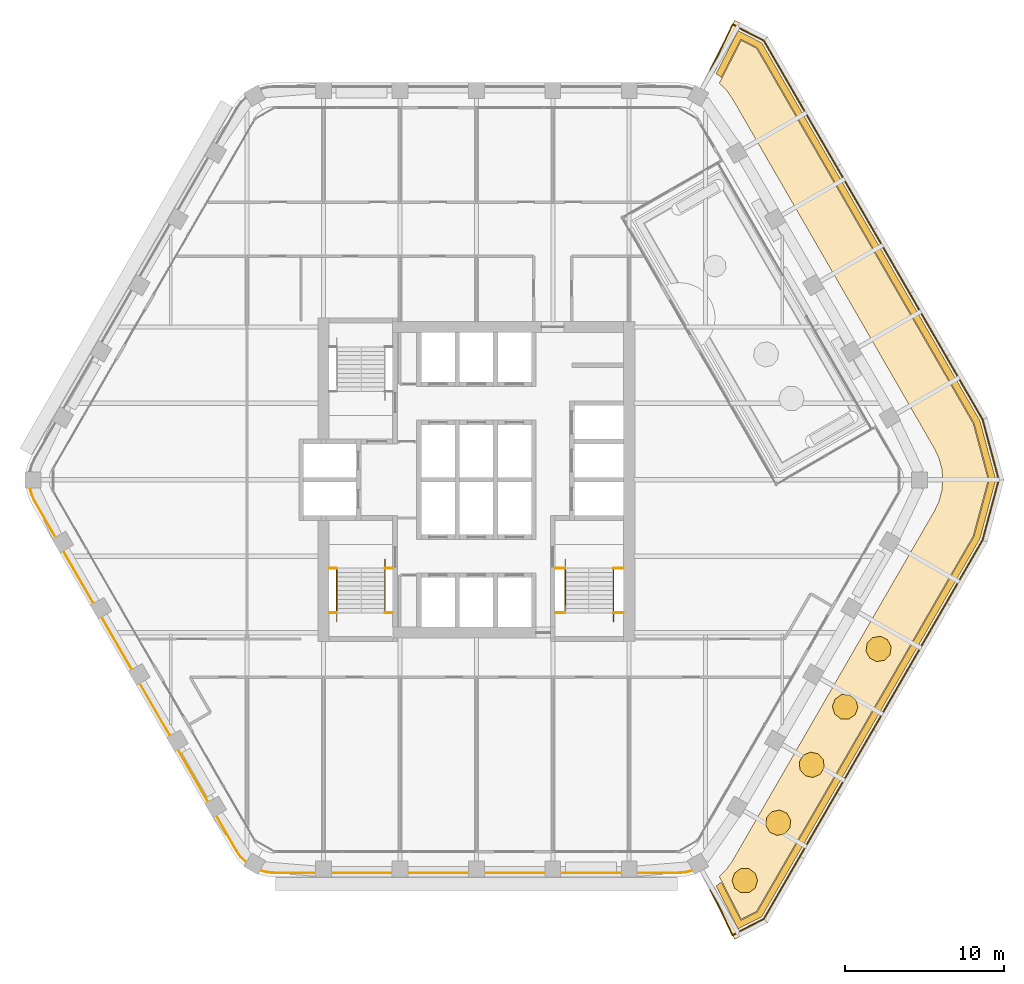
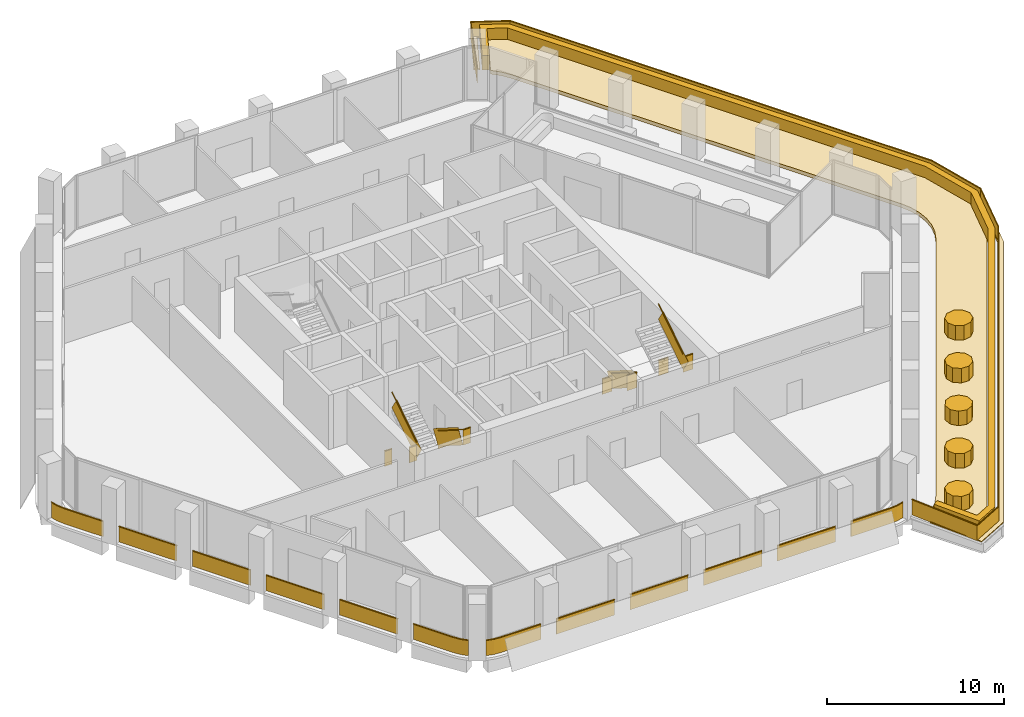
# One storey, part 16 of 17: 8 coverings, 7 railings.
"""IFC4 building model written with IfcOpenShell, lengths in metres."""

from ifc_helpers import new_model, si_unit, direction, frame, frame_2d, origin, origin_2d, place, context, subcontext, project, spatial, polyline, rectangle, outline, extrude, material, layer, layer_set, type_object, element, save


model = new_model("IFC4")

# Units and contexts
model_context = context("Model", 3, precision=1e-05, world=origin(), true_north=direction((0.0, 1.0)))
body_context = subcontext(model_context, "Body", "Model", "MODEL_VIEW")
ifc_project = project(units=[si_unit("LENGTHUNIT", "METRE"), si_unit("AREAUNIT", "SQUARE_METRE"), si_unit("VOLUMEUNIT", "CUBIC_METRE"), si_unit("PLANEANGLEUNIT", "RADIAN"), si_unit("MASSUNIT", "GRAM", prefix="KILO")], contexts=[model_context])

# Site, building, storey
site_placement = place(None, origin())
site = spatial("IfcSite", under=ifc_project, at=site_placement, CompositionType="ELEMENT")
building_placement = place(site_placement, origin())
building = spatial("IfcBuilding", under=site, at=building_placement, Name="Kolab Exchange Tower", CompositionType="ELEMENT")
storey_placement = place(building_placement, frame((0.0, 0.0, 181.699951171875)))
storey = spatial("IfcBuildingStorey", under=building, at=storey_placement, Name="L38", CompositionType="ELEMENT", Elevation=181.699951171875)

# Coverings
ifc_material_1 = material(Name="Flowering shrub planting", Category="soil")
ifc_layer_1 = layer(ifc_material_1, 1.0)
ifc_layer_set_1 = layer_set([ifc_layer_1], Name="Flowering shrub planting")
covering_type_1 = type_object("IfcCoveringType", Name="FLOWERING SHRUB PLANTING", PredefinedType="USERDEFINED", material=ifc_layer_set_1)
covering_1_placement = place(storey_placement, frame((0.0, 0.0, 0.25)))
element("IfcCovering", 1, at=covering_1_placement, inside=storey, type_object=covering_type_1, Name="Flowering shrub", ObjectType="PLANTING", PredefinedType="USERDEFINED", context=body_context, shape_type="SweptSolid", body=[
    extrude(outline(polyline([(17.6611328125, -25.171630859375), (17.50830078125, -24.701416015625), (17.1083984375, -24.41064453125), (16.61376953125, -24.41064453125), (16.2138671875, -24.701416015625), (16.06103515625, -25.171630859375), (16.2138671875, -25.641845703125), (16.61376953125, -25.932373046875), (17.1083984375, -25.932373046875), (17.50830078125, -25.641845703125), (17.6611328125, -25.171630859375)])), origin(), (0.0, 0.0, 1.0), 1.0),
])
covering_2_placement = place(storey_placement, frame((0.0, 0.0, 0.25)))
element("IfcCovering", 2, at=covering_2_placement, inside=storey, type_object=covering_type_1, Name="Flowering shrub", ObjectType="PLANTING", PredefinedType="USERDEFINED", context=body_context, shape_type="SweptSolid", body=[
    extrude(outline(polyline([(19.7451171875, -21.37548828125), (19.501953125, -20.94482421875), (19.05224609375, -20.739501953125), (18.567626953125, -20.837890625), (18.2333984375, -21.2021484375), (18.177001953125, -21.693359375), (18.420166015625, -22.123779296875), (18.869873046875, -22.3291015625), (19.3544921875, -22.23095703125), (19.688720703125, -21.86669921875), (19.7451171875, -21.37548828125)])), origin(), (0.0, 0.0, 1.0), 1.0),
])
covering_3_placement = place(storey_placement, frame((0.0, 0.0, 0.25)))
element("IfcCovering", 3, at=covering_3_placement, inside=storey, type_object=covering_type_1, Name="Flowering shrub", ObjectType="PLANTING", PredefinedType="USERDEFINED", context=body_context, shape_type="SweptSolid", body=[
    extrude(outline(polyline([(21.7978515625, -17.585693359375), (21.47412109375, -17.2119140625), (20.992431640625, -17.10009765625), (20.537109375, -17.292724609375), (20.281982421875, -17.716064453125), (20.32421875, -18.208740234375), (20.648193359375, -18.582275390625), (21.129638671875, -18.6943359375), (21.585205078125, -18.501708984375), (21.84033203125, -18.078369140625), (21.7978515625, -17.585693359375)])), origin(), (0.0, 0.0, 1.0), 1.0),
])
covering_4_placement = place(storey_placement, frame((0.0, 0.0, 0.25)))
element("IfcCovering", 4, at=covering_4_placement, inside=storey, type_object=covering_type_1, Name="Flowering shrub", ObjectType="PLANTING", PredefinedType="USERDEFINED", context=body_context, shape_type="SweptSolid", body=[
    extrude(outline(polyline([(23.8212890625, -13.808349609375), (23.4296875, -13.50634765625), (22.935546875, -13.492431640625), (22.52734375, -13.771728515625), (22.361328125, -14.2373046875), (22.500732421875, -14.711669921875), (22.892333984375, -15.013427734375), (23.38671875, -15.027587890625), (23.794677734375, -14.748291015625), (23.960693359375, -14.28271484375), (23.8212890625, -13.808349609375)])), origin(), (0.0, 0.0, 1.0), 1.0),
])
covering_5_placement = place(storey_placement, frame((0.0, 0.0, 0.25)))
element("IfcCovering", 5, at=covering_5_placement, inside=storey, type_object=covering_type_1, Name="Flowering shrub", ObjectType="PLANTING", PredefinedType="USERDEFINED", context=body_context, shape_type="SweptSolid", body=[
    extrude(outline(polyline([(25.818359375, -10.048828125), (25.374755859375, -9.830810546875), (24.887451171875, -9.915283203125), (24.54296875, -10.27001953125), (24.472900390625, -10.759521484375), (24.70361328125, -11.19677734375), (25.1474609375, -11.414794921875), (25.634765625, -11.330322265625), (25.979248046875, -10.9755859375), (26.04931640625, -10.486083984375), (25.818359375, -10.048828125)])), origin(), (0.0, 0.0, 1.0), 1.0),
])

# Railings
ifc_material_2 = material(Name="Stainless steel 316", Category="steel")
railing_type_1 = type_object("IfcRailingType", Name="GUARD 1100", PredefinedType="GUARDRAIL", material=ifc_material_2)
railing_1_placement = place(storey_placement, frame((-9.25, -5.550048828125, 0.0)))
element("IfcRailing", 6, at=railing_1_placement, inside=storey, type_object=railing_type_1, Name="Guard ST3", PredefinedType="GUARDRAIL", context=body_context, shape_type="SweptSolid", body=[
    extrude(rectangle(XDim=0.05, YDim=0.05, at=origin_2d()), frame((0.0, 0.0, 1.0751953125), z_axis=(1.0, 0.0, 0.0), x_axis=(0.0, 1.0, 0.0)), (0.0, 0.0, 1.0), 0.489990234375),
    extrude(rectangle(XDim=0.012, YDim=1.05009765625, at=frame_2d((0.0, 0.525146484375))), frame((0.0, 0.0, 0.0), z_axis=(1.0, 0.0, 0.0), x_axis=(0.0, 1.0, 0.0)), (0.0, 0.0, 1.0), 0.489990234375),
    extrude(rectangle(XDim=0.05, YDim=0.05, at=origin_2d()), frame((3.510009765625, 0.0, 1.0751953125), z_axis=(1.0, 0.0, 0.0), x_axis=(0.0, 1.0, 0.0)), (0.0, 0.0, 1.0), 0.489990234375),
    extrude(rectangle(XDim=0.012, YDim=1.05009765625, at=frame_2d((0.0, 0.525146484375))), frame((3.510009765625, 0.0, 0.0), z_axis=(1.0, 0.0, 0.0), x_axis=(0.0, 1.0, 0.0)), (0.0, 0.0, 1.0), 0.489990234375),
    extrude(rectangle(XDim=0.05, YDim=0.05, at=origin_2d()), frame((0.0, -2.800048828125, 3.025146484375), z_axis=(1.0, 0.0, 0.0), x_axis=(0.0, 1.0, 0.0)), (0.0, 0.0, 1.0), 0.489990234375),
    extrude(rectangle(XDim=0.012, YDim=1.05009765625, at=frame_2d((0.0, 0.525146484375))), frame((0.0, -2.800048828125, 1.949951171875), z_axis=(1.0, 0.0, 0.0), x_axis=(0.0, 1.0, 0.0)), (0.0, 0.0, 1.0), 0.489990234375),
    extrude(rectangle(XDim=0.05, YDim=0.05, at=origin_2d()), frame((3.510009765625, -2.800048828125, 3.025146484375), z_axis=(1.0, 0.0, 0.0), x_axis=(0.0, 1.0, 0.0)), (0.0, 0.0, 1.0), 0.489990234375),
    extrude(rectangle(XDim=0.012, YDim=1.05009765625, at=frame_2d((0.0, 0.525146484375))), frame((3.510009765625, -2.800048828125, 1.949951171875), z_axis=(1.0, 0.0, 0.0), x_axis=(0.0, 1.0, 0.0)), (0.0, 0.0, 1.0), 0.489990234375),
])
railing_2_placement = place(storey_placement, frame((-5.739990234375, -5.550048828125, 0.17724609375)))
element("IfcRailing", 7, at=railing_2_placement, inside=storey, type_object=railing_type_1, Name="Handrail guard ST3", PredefinedType="GUARDRAIL", context=body_context, shape_type="SweptSolid", body=[
    extrude(rectangle(XDim=0.05, YDim=0.05, at=origin_2d()), frame((0.0, 0.0, 1.0751953125), z_axis=(0.0, -0.844908973607, 0.534910110503), x_axis=(1.0, 0.0, 0.0)), (0.0, 0.0, 1.0), 3.31396484375),
    extrude(rectangle(XDim=0.012, YDim=1.05009765625, at=frame_2d((0.0, 0.525146484375))), frame((0.0, 0.0, 0.0), z_axis=(0.0, -0.844908973607, 0.534910110503), x_axis=(1.0, 0.0, 0.0)), (0.0, 0.0, 1.0), 3.31396484375),
    extrude(rectangle(XDim=0.05, YDim=0.05, at=origin_2d()), frame((-3.02001953125, -2.800048828125, 3.025390625), z_axis=(0.0, 0.844908973607, 0.534910110503), x_axis=(-1.0, 0.0, 0.0)), (0.0, 0.0, 1.0), 3.31396484375),
    extrude(rectangle(XDim=0.012, YDim=1.05009765625, at=frame_2d((0.0, 0.525146484375))), frame((-3.02001953125, -2.800048828125, 1.9501953125), z_axis=(0.0, 0.844908973607, 0.534910110503), x_axis=(-1.0, 0.0, 0.0)), (0.0, 0.0, 1.0), 3.31396484375),
])
railing_3_placement = place(storey_placement, frame((4.949951171875, -5.550048828125, 0.0)))
element("IfcRailing", 8, at=railing_3_placement, inside=storey, type_object=railing_type_1, Name="Guard ST2", PredefinedType="GUARDRAIL", context=body_context, shape_type="SweptSolid", body=[
    extrude(rectangle(XDim=0.05, YDim=0.05, at=origin_2d()), frame((0.0, 0.0, 1.0751953125), z_axis=(1.0, 0.0, 0.0), x_axis=(0.0, 1.0, 0.0)), (0.0, 0.0, 1.0), 0.64013671875),
    extrude(rectangle(XDim=0.012, YDim=1.05009765625, at=frame_2d((0.0, 0.525146484375))), frame((0.0, 0.0, 0.0), z_axis=(1.0, 0.0, 0.0), x_axis=(0.0, 1.0, 0.0)), (0.0, 0.0, 1.0), 0.64013671875),
    extrude(rectangle(XDim=0.05, YDim=0.05, at=origin_2d()), frame((3.66015625, 0.0, 1.0751953125), z_axis=(1.0, 0.0, 0.0), x_axis=(0.0, 1.0, 0.0)), (0.0, 0.0, 1.0), 0.639892578125),
    extrude(rectangle(XDim=0.012, YDim=1.05009765625, at=frame_2d((0.0, 0.525146484375))), frame((3.66015625, 0.0, 0.0), z_axis=(1.0, 0.0, 0.0), x_axis=(0.0, 1.0, 0.0)), (0.0, 0.0, 1.0), 0.639892578125),
    extrude(rectangle(XDim=0.05, YDim=0.05, at=origin_2d()), frame((0.0, -2.800048828125, 3.025146484375), z_axis=(1.0, 0.0, 0.0), x_axis=(0.0, 1.0, 0.0)), (0.0, 0.0, 1.0), 0.64013671875),
    extrude(rectangle(XDim=0.012, YDim=1.05009765625, at=frame_2d((0.0, 0.525146484375))), frame((0.0, -2.800048828125, 1.949951171875), z_axis=(1.0, 0.0, 0.0), x_axis=(0.0, 1.0, 0.0)), (0.0, 0.0, 1.0), 0.64013671875),
    extrude(rectangle(XDim=0.05, YDim=0.05, at=origin_2d()), frame((3.66015625, -2.800048828125, 3.025146484375), z_axis=(1.0, 0.0, 0.0), x_axis=(0.0, 1.0, 0.0)), (0.0, 0.0, 1.0), 0.639892578125),
    extrude(rectangle(XDim=0.012, YDim=1.05009765625, at=frame_2d((0.0, 0.525146484375))), frame((3.66015625, -2.800048828125, 1.949951171875), z_axis=(1.0, 0.0, 0.0), x_axis=(0.0, 1.0, 0.0)), (0.0, 0.0, 1.0), 0.639892578125),
])
railing_4_placement = place(storey_placement, frame((5.590087890625, -5.550048828125, 0.17724609375)))
element("IfcRailing", 9, at=railing_4_placement, inside=storey, type_object=railing_type_1, Name="Handrail guard ST2", PredefinedType="GUARDRAIL", context=body_context, shape_type="SweptSolid", body=[
    extrude(rectangle(XDim=0.05, YDim=0.05, at=origin_2d()), frame((0.0, 0.0, 1.0751953125), z_axis=(0.0, -0.844908973607, 0.534910110503), x_axis=(1.0, 0.0, 0.0)), (0.0, 0.0, 1.0), 3.31396484375),
    extrude(rectangle(XDim=0.012, YDim=1.05009765625, at=frame_2d((0.0, 0.525146484375))), frame((0.0, 0.0, 0.0), z_axis=(0.0, -0.844908973607, 0.534910110503), x_axis=(1.0, 0.0, 0.0)), (0.0, 0.0, 1.0), 3.31396484375),
    extrude(rectangle(XDim=0.05, YDim=0.05, at=origin_2d()), frame((3.02001953125, -2.800048828125, 3.025390625), z_axis=(0.0, 0.844908973607, 0.534910110503), x_axis=(-1.0, 0.0, 0.0)), (0.0, 0.0, 1.0), 3.31396484375),
    extrude(rectangle(XDim=0.012, YDim=1.05009765625, at=frame_2d((0.0, 0.525146484375))), frame((3.02001953125, -2.800048828125, 1.9501953125), z_axis=(0.0, 0.844908973607, 0.534910110503), x_axis=(-1.0, 0.0, 0.0)), (0.0, 0.0, 1.0), 3.31396484375),
])
ifc_material_3 = material(Name="Steel S235", Category="steel")
railing_type_2 = type_object("IfcRailingType", Name="GUARD 1100 GLASS BALUSTRADE AND STEEL TOP RAIL", PredefinedType="GUARDRAIL", material=ifc_material_3)
railing_5_placement = place(storey_placement, frame((-13.588623046875, -24.531005859375, 0.0)))
element("IfcRailing", 10, at=railing_5_placement, inside=storey, type_object=railing_type_2, Name="Guard", PredefinedType="GUARDRAIL", context=body_context, shape_type="SweptSolid", body=[
    extrude(rectangle(XDim=0.05, YDim=0.05, at=origin_2d()), frame((0.0, 0.0, 1.0751953125), z_axis=(0.965969425465, -0.25865627591, 0.0), x_axis=(0.25865627591, 0.965969425465, 0.0)), (0.0, 0.0, 1.0), 0.458740234375),
    extrude(rectangle(XDim=0.012, YDim=1.05009765625, at=frame_2d((0.0, 0.525146484375))), frame((0.0, 0.0, 0.0), z_axis=(0.965969425465, -0.25865627591, 0.0), x_axis=(0.25865627591, 0.965969425465, 0.0)), (0.0, 0.0, 1.0), 0.458740234375),
    extrude(rectangle(XDim=0.05, YDim=0.05, at=origin_2d()), frame((0.443115234375, -0.11865234375, 1.0751953125), z_axis=(0.996156034798, -0.087596542937, 0.0), x_axis=(0.087596542937, 0.996156034798, 0.0)), (0.0, 0.0, 1.0), 0.4794921875),
    extrude(rectangle(XDim=0.012, YDim=1.05009765625, at=frame_2d((0.0, 0.525146484375))), frame((0.443115234375, -0.11865234375, 0.0), z_axis=(0.996156034798, -0.087596542937, 0.0), x_axis=(0.087596542937, 0.996156034798, 0.0)), (0.0, 0.0, 1.0), 0.4794921875),
    extrude(rectangle(XDim=0.05, YDim=0.05, at=origin_2d()), frame((0.920654296875, -0.16064453125, 1.0751953125), z_axis=(1.0, 0.0, 0.0), x_axis=(0.0, 1.0, 0.0)), (0.0, 0.0, 1.0), 2.56787109375),
    extrude(rectangle(XDim=0.012, YDim=1.05009765625, at=frame_2d((0.0, 0.525146484375))), frame((0.920654296875, -0.16064453125, 0.0), z_axis=(1.0, 0.0, 0.0), x_axis=(0.0, 1.0, 0.0)), (0.0, 0.0, 1.0), 2.56787109375),
    extrude(rectangle(XDim=0.05, YDim=0.05, at=origin_2d()), frame((4.488525390625, -0.16064453125, 1.0751953125), z_axis=(1.0, 0.0, 0.0), x_axis=(0.0, 1.0, 0.0)), (0.0, 0.0, 1.0), 3.800048828125),
    extrude(rectangle(XDim=0.012, YDim=1.05009765625, at=frame_2d((0.0, 0.525146484375))), frame((4.488525390625, -0.16064453125, 0.0), z_axis=(1.0, 0.0, 0.0), x_axis=(0.0, 1.0, 0.0)), (0.0, 0.0, 1.0), 3.800048828125),
    extrude(rectangle(XDim=0.05, YDim=0.05, at=origin_2d()), frame((9.28857421875, -0.16064453125, 1.0751953125), z_axis=(1.0, 0.0, 0.0), x_axis=(0.0, 1.0, 0.0)), (0.0, 0.0, 1.0), 3.800048828125),
    extrude(rectangle(XDim=0.012, YDim=1.05009765625, at=frame_2d((0.0, 0.525146484375))), frame((9.28857421875, -0.16064453125, 0.0), z_axis=(1.0, 0.0, 0.0), x_axis=(0.0, 1.0, 0.0)), (0.0, 0.0, 1.0), 3.800048828125),
    extrude(rectangle(XDim=0.05, YDim=0.05, at=origin_2d()), frame((14.088623046875, -0.16064453125, 1.0751953125), z_axis=(1.0, 0.0, 0.0), x_axis=(0.0, 1.0, 0.0)), (0.0, 0.0, 1.0), 3.800048828125),
    extrude(rectangle(XDim=0.012, YDim=1.05009765625, at=frame_2d((0.0, 0.525146484375))), frame((14.088623046875, -0.16064453125, 0.0), z_axis=(1.0, 0.0, 0.0), x_axis=(0.0, 1.0, 0.0)), (0.0, 0.0, 1.0), 3.800048828125),
    extrude(rectangle(XDim=0.05, YDim=0.05, at=origin_2d()), frame((18.888671875, -0.16064453125, 1.0751953125), z_axis=(1.0, 0.0, 0.0), x_axis=(0.0, 1.0, 0.0)), (0.0, 0.0, 1.0), 3.800048828125),
    extrude(rectangle(XDim=0.012, YDim=1.05009765625, at=frame_2d((0.0, 0.525146484375))), frame((18.888671875, -0.16064453125, 0.0), z_axis=(1.0, 0.0, 0.0), x_axis=(0.0, 1.0, 0.0)), (0.0, 0.0, 1.0), 3.800048828125),
    extrude(rectangle(XDim=0.05, YDim=0.05, at=origin_2d()), frame((23.688720703125, -0.16064453125, 1.0751953125), z_axis=(1.0, 0.0, 0.0), x_axis=(0.0, 1.0, 0.0)), (0.0, 0.0, 1.0), 2.56787109375),
    extrude(rectangle(XDim=0.012, YDim=1.05009765625, at=frame_2d((0.0, 0.525146484375))), frame((23.688720703125, -0.16064453125, 0.0), z_axis=(1.0, 0.0, 0.0), x_axis=(0.0, 1.0, 0.0)), (0.0, 0.0, 1.0), 2.56787109375),
    extrude(rectangle(XDim=0.05, YDim=0.05, at=origin_2d()), frame((26.256591796875, -0.16064453125, 1.0751953125), z_axis=(0.996156034798, 0.087596542937, 0.0), x_axis=(-0.087596542937, 0.996156034798, 0.0)), (0.0, 0.0, 1.0), 0.4794921875),
    extrude(rectangle(XDim=0.012, YDim=1.05009765625, at=frame_2d((0.0, 0.525146484375))), frame((26.256591796875, -0.16064453125, 0.0), z_axis=(0.996156034798, 0.087596542937, 0.0), x_axis=(-0.087596542937, 0.996156034798, 0.0)), (0.0, 0.0, 1.0), 0.4794921875),
    extrude(rectangle(XDim=0.05, YDim=0.05, at=origin_2d()), frame((26.734130859375, -0.11865234375, 1.0751953125), z_axis=(0.965969425465, 0.25865627591, 0.0), x_axis=(-0.25865627591, 0.965969425465, 0.0)), (0.0, 0.0, 1.0), 0.458740234375),
    extrude(rectangle(XDim=0.012, YDim=1.05009765625, at=frame_2d((0.0, 0.525146484375))), frame((26.734130859375, -0.11865234375, 0.0), z_axis=(0.965969425465, 0.25865627591, 0.0), x_axis=(-0.25865627591, 0.965969425465, 0.0)), (0.0, 0.0, 1.0), 0.458740234375),
])
railing_6_placement = place(storey_placement, frame((-28.038818359375, -0.49755859375, 0.0)))
element("IfcRailing", 11, at=railing_6_placement, inside=storey, type_object=railing_type_2, Name="Guard", PredefinedType="GUARDRAIL", context=body_context, shape_type="SweptSolid", body=[
    extrude(rectangle(XDim=0.05, YDim=0.05, at=origin_2d()), frame((0.0, 0.0, 1.0751953125), z_axis=(0.25865627591, -0.965969425465, 0.0), x_axis=(0.965969425465, 0.25865627591, 0.0)), (0.0, 0.0, 1.0), 0.458740234375),
    extrude(rectangle(XDim=0.012, YDim=1.05009765625, at=frame_2d((0.0, 0.525146484375))), frame((0.0, 0.0, 0.0), z_axis=(0.25865627591, -0.965969425465, 0.0), x_axis=(0.965969425465, 0.25865627591, 0.0)), (0.0, 0.0, 1.0), 0.458740234375),
    extrude(rectangle(XDim=0.05, YDim=0.05, at=origin_2d()), frame((0.11865234375, -0.443115234375, 1.0751953125), z_axis=(0.422801802984, -0.906222177721, 0.0), x_axis=(0.906222177721, 0.422801802984, 0.0)), (0.0, 0.0, 1.0), 0.479248046875),
    extrude(rectangle(XDim=0.012, YDim=1.05009765625, at=frame_2d((0.0, 0.525146484375))), frame((0.11865234375, -0.443115234375, 0.0), z_axis=(0.422801802984, -0.906222177721, 0.0), x_axis=(0.906222177721, 0.422801802984, 0.0)), (0.0, 0.0, 1.0), 0.479248046875),
    extrude(rectangle(XDim=0.05, YDim=0.05, at=origin_2d()), frame((0.3212890625, -0.87744140625, 1.0751953125), z_axis=(0.499994038704, -0.866028845513, 0.0), x_axis=(0.866028845513, 0.499994038704, 0.0)), (0.0, 0.0, 1.0), 2.56787109375),
    extrude(rectangle(XDim=0.012, YDim=1.05009765625, at=frame_2d((0.0, 0.525146484375))), frame((0.3212890625, -0.87744140625, 0.0), z_axis=(0.499994038704, -0.866028845513, 0.0), x_axis=(0.866028845513, 0.499994038704, 0.0)), (0.0, 0.0, 1.0), 2.56787109375),
    extrude(rectangle(XDim=0.05, YDim=0.05, at=origin_2d()), frame((2.105224609375, -3.96728515625, 1.0751953125), z_axis=(0.500015340139, -0.86601654697, 0.0), x_axis=(0.86601654697, 0.500015340139, 0.0)), (0.0, 0.0, 1.0), 3.80029296875),
    extrude(rectangle(XDim=0.012, YDim=1.05009765625, at=frame_2d((0.0, 0.525146484375))), frame((2.105224609375, -3.96728515625, 0.0), z_axis=(0.500015340139, -0.86601654697, 0.0), x_axis=(0.86601654697, 0.500015340139, 0.0)), (0.0, 0.0, 1.0), 3.80029296875),
    extrude(rectangle(XDim=0.05, YDim=0.05, at=origin_2d()), frame((4.50537109375, -8.124267578125, 1.0751953125), z_axis=(0.499967155389, -0.866044365799, 0.0), x_axis=(0.866044365799, 0.499967155389, 0.0)), (0.0, 0.0, 1.0), 3.800048828125),
    extrude(rectangle(XDim=0.012, YDim=1.05009765625, at=frame_2d((0.0, 0.525146484375))), frame((4.50537109375, -8.124267578125, 0.0), z_axis=(0.499967155389, -0.866044365799, 0.0), x_axis=(0.866044365799, 0.499967155389, 0.0)), (0.0, 0.0, 1.0), 3.800048828125),
    extrude(rectangle(XDim=0.05, YDim=0.05, at=origin_2d()), frame((6.9052734375, -12.28125, 1.0751953125), z_axis=(0.500043160704, -0.866000483506, 0.0), x_axis=(0.866000483506, 0.500043160704, 0.0)), (0.0, 0.0, 1.0), 3.800048828125),
    extrude(rectangle(XDim=0.012, YDim=1.05009765625, at=frame_2d((0.0, 0.525146484375))), frame((6.9052734375, -12.28125, 0.0), z_axis=(0.500043160704, -0.866000483506, 0.0), x_axis=(0.866000483506, 0.500043160704, 0.0)), (0.0, 0.0, 1.0), 3.800048828125),
    extrude(rectangle(XDim=0.05, YDim=0.05, at=origin_2d()), frame((9.305419921875, -16.438232421875, 1.0751953125), z_axis=(0.499994975061, -0.866028304915, 0.0), x_axis=(0.866028304915, 0.499994975061, 0.0)), (0.0, 0.0, 1.0), 3.7998046875),
    extrude(rectangle(XDim=0.012, YDim=1.05009765625, at=frame_2d((0.0, 0.525146484375))), frame((9.305419921875, -16.438232421875, 0.0), z_axis=(0.499994975061, -0.866028304915, 0.0), x_axis=(0.866028304915, 0.499994975061, 0.0)), (0.0, 0.0, 1.0), 3.7998046875),
    extrude(rectangle(XDim=0.05, YDim=0.05, at=origin_2d()), frame((11.705322265625, -20.594970703125, 1.0751953125), z_axis=(0.499952873616, -0.866052610505, 0.0), x_axis=(0.866052610505, 0.499952873616, 0.0)), (0.0, 0.0, 1.0), 2.568115234375),
    extrude(rectangle(XDim=0.012, YDim=1.05009765625, at=frame_2d((0.0, 0.525146484375))), frame((11.705322265625, -20.594970703125, 0.0), z_axis=(0.499952873616, -0.866052610505, 0.0), x_axis=(0.866052610505, 0.499952873616, 0.0)), (0.0, 0.0, 1.0), 2.568115234375),
    extrude(rectangle(XDim=0.05, YDim=0.05, at=origin_2d()), frame((12.9892578125, -22.819091796875, 1.0751953125), z_axis=(0.573599091554, -0.819136180478, 0.0), x_axis=(0.819136180478, 0.573599091554, 0.0)), (0.0, 0.0, 1.0), 0.479248046875),
    extrude(rectangle(XDim=0.012, YDim=1.05009765625, at=frame_2d((0.0, 0.525146484375))), frame((12.9892578125, -22.819091796875, 0.0), z_axis=(0.573599091554, -0.819136180478, 0.0), x_axis=(0.819136180478, 0.573599091554, 0.0)), (0.0, 0.0, 1.0), 0.479248046875),
    extrude(rectangle(XDim=0.05, YDim=0.05, at=origin_2d()), frame((13.26416015625, -23.211669921875, 1.0751953125), z_axis=(0.70737286085, -0.706840601361, 0.0), x_axis=(0.706840601361, 0.70737286085, 0.0)), (0.0, 0.0, 1.0), 0.458740234375),
    extrude(rectangle(XDim=0.012, YDim=1.05009765625, at=frame_2d((0.0, 0.525146484375))), frame((13.26416015625, -23.211669921875, 0.0), z_axis=(0.70737286085, -0.706840601361, 0.0), x_axis=(0.706840601361, 0.70737286085, 0.0)), (0.0, 0.0, 1.0), 0.458740234375),
])
railing_7_placement = place(storey_placement, frame((14.16796875, 24.53955078125, 0.0)))
element("IfcRailing", 12, at=railing_7_placement, inside=storey, type_object=railing_type_2, Name="Terrace guard", PredefinedType="GUARDRAIL", context=body_context, shape_type="SweptSolid", body=[
    extrude(rectangle(XDim=0.05, YDim=0.05, at=origin_2d()), frame((0.0, 0.0, 1.0751953125), z_axis=(0.426178722185, 0.904638986976, 0.0), x_axis=(-0.904638986976, 0.426178722185, 0.0)), (0.0, 0.0, 1.0), 4.4970703125),
    extrude(rectangle(XDim=0.012, YDim=1.05009765625, at=frame_2d((0.0, 0.525146484375))), frame((0.0, 0.0, 0.0), z_axis=(0.426178722185, 0.904638986976, 0.0), x_axis=(-0.904638986976, 0.426178722185, 0.0)), (0.0, 0.0, 1.0), 4.4970703125),
    extrude(rectangle(XDim=0.05, YDim=0.05, at=origin_2d()), frame((1.91650390625, 4.068115234375, 1.0751953125), z_axis=(0.889953278106, -0.456051710651, 0.0), x_axis=(0.456051710651, 0.889953278106, 0.0)), (0.0, 0.0, 1.0), 2.2265625),
    extrude(rectangle(XDim=0.012, YDim=1.05009765625, at=frame_2d((0.0, 0.525146484375))), frame((1.91650390625, 4.068115234375, 0.0), z_axis=(0.889953278106, -0.456051710651, 0.0), x_axis=(0.456051710651, 0.889953278106, 0.0)), (0.0, 0.0, 1.0), 2.2265625),
    extrude(rectangle(XDim=0.05, YDim=0.05, at=origin_2d()), frame((3.89794921875, 3.052734375, 1.0751953125), z_axis=(0.499993049377, -0.866029416691, 0.0), x_axis=(0.866029416691, 0.499993049377, 0.0)), (0.0, 0.0, 1.0), 27.4912109375),
    extrude(rectangle(XDim=0.012, YDim=1.05009765625, at=frame_2d((0.0, 0.525146484375))), frame((3.89794921875, 3.052734375, 0.0), z_axis=(0.499993049377, -0.866029416691, 0.0), x_axis=(0.866029416691, 0.499993049377, 0.0)), (0.0, 0.0, 1.0), 27.4912109375),
    extrude(rectangle(XDim=0.05, YDim=0.05, at=origin_2d()), frame((17.643310546875, -20.75537109375, 1.0751953125), z_axis=(0.258806690596, -0.965929136584, 0.0), x_axis=(0.965929136584, 0.258806690596, 0.0)), (0.0, 0.0, 1.0), 3.917724609375),
    extrude(rectangle(XDim=0.012, YDim=1.05009765625, at=frame_2d((0.0, 0.525146484375))), frame((17.643310546875, -20.75537109375, 0.0), z_axis=(0.258806690596, -0.965929136584, 0.0), x_axis=(0.965929136584, 0.258806690596, 0.0)), (0.0, 0.0, 1.0), 3.917724609375),
    extrude(rectangle(XDim=0.05, YDim=0.05, at=origin_2d()), frame((18.6572265625, -24.53955078125, 1.0751953125), z_axis=(-0.258806690596, -0.965929136584, 0.0), x_axis=(0.965929136584, -0.258806690596, 0.0)), (0.0, 0.0, 1.0), 3.917724609375),
    extrude(rectangle(XDim=0.012, YDim=1.05009765625, at=frame_2d((0.0, 0.525146484375))), frame((18.6572265625, -24.53955078125, 0.0), z_axis=(-0.258806690596, -0.965929136584, 0.0), x_axis=(0.965929136584, -0.258806690596, 0.0)), (0.0, 0.0, 1.0), 3.917724609375),
    extrude(rectangle(XDim=0.05, YDim=0.05, at=origin_2d()), frame((17.643310546875, -28.32373046875, 1.0751953125), z_axis=(-0.499993049377, -0.866029416691, 0.0), x_axis=(0.866029416691, -0.499993049377, 0.0)), (0.0, 0.0, 1.0), 27.4912109375),
    extrude(rectangle(XDim=0.012, YDim=1.05009765625, at=frame_2d((0.0, 0.525146484375))), frame((17.643310546875, -28.32373046875, 0.0), z_axis=(-0.499993049377, -0.866029416691, 0.0), x_axis=(0.866029416691, -0.499993049377, 0.0)), (0.0, 0.0, 1.0), 27.4912109375),
    extrude(rectangle(XDim=0.05, YDim=0.05, at=origin_2d()), frame((3.89794921875, -52.1318359375, 1.0751953125), z_axis=(-0.889953278106, -0.456051710651, 0.0), x_axis=(0.456051710651, -0.889953278106, 0.0)), (0.0, 0.0, 1.0), 2.2265625),
    extrude(rectangle(XDim=0.012, YDim=1.05009765625, at=frame_2d((0.0, 0.525146484375))), frame((3.89794921875, -52.1318359375, 0.0), z_axis=(-0.889953278106, -0.456051710651, 0.0), x_axis=(0.456051710651, -0.889953278106, 0.0)), (0.0, 0.0, 1.0), 2.2265625),
    extrude(rectangle(XDim=0.05, YDim=0.05, at=origin_2d()), frame((1.91650390625, -53.147216796875, 1.0751953125), z_axis=(-0.426178722185, 0.904638986976, 0.0), x_axis=(-0.904638986976, -0.426178722185, 0.0)), (0.0, 0.0, 1.0), 4.4970703125),
    extrude(rectangle(XDim=0.012, YDim=1.05009765625, at=frame_2d((0.0, 0.525146484375))), frame((1.91650390625, -53.147216796875, 0.0), z_axis=(-0.426178722185, 0.904638986976, 0.0), x_axis=(-0.904638986976, -0.426178722185, 0.0)), (0.0, 0.0, 1.0), 4.4970703125),
])

# Coverings
ifc_material_4 = material(Name="Planting soil and turf", Category="soil")
ifc_layer_2 = layer(ifc_material_4, 0.25)
ifc_layer_set_2 = layer_set([ifc_layer_2], Name="Planting soil and turf")
covering_type_2 = type_object("IfcCoveringType", Name="PLANTING SOIL AND TURF 250", PredefinedType="USERDEFINED", material=ifc_layer_set_2)
covering_6_placement = place(storey_placement, origin())
element("IfcCovering", 13, at=covering_6_placement, inside=storey, type_object=covering_type_2, Name="Planting soil and turf", ObjectType="PLANTING", PredefinedType="USERDEFINED", context=body_context, shape_type="SweptSolid", body=[
    extrude(outline(polyline([(16.633544921875, 27.595947265625), (17.598876953125, 27.10107421875), (31.20556640625, 3.533203125), (32.15234375, 0.0), (31.20556640625, -3.533203125), (17.598876953125, -27.10107421875), (16.633544921875, -27.595947265625), (15.26123046875, -24.91845703125), (15.69677734375, -24.48291015625), (16.068115234375, -23.952392578125), (28.77734375, -1.939208984375), (29.051025390625, -1.352294921875), (29.2294921875, -0.6865234375), (29.28955078125, 0.0), (29.2294921875, 0.6865234375), (29.051025390625, 1.352294921875), (28.77734375, 1.939208984375), (16.068115234375, 23.952392578125), (15.69677734375, 24.48291015625), (15.26123046875, 24.91845703125), (16.633544921875, 27.595947265625)])), origin(), (0.0, 0.0, 1.0), 0.25),
])
ifc_material_5 = material(Name="Limestone coping", Category="masonry")
ifc_layer_3 = layer(ifc_material_5, 0.050048828125)
ifc_layer_set_3 = layer_set([ifc_layer_3], Name="Limestone coping")
covering_type_3 = type_object("IfcCoveringType", Name="TERRACE EDGE BAND LIMESTONE 50", PredefinedType="CLADDING", material=ifc_layer_set_3)
covering_7_placement = place(storey_placement, origin())
element("IfcCovering", 14, at=covering_7_placement, inside=storey, type_object=covering_type_3, Name="Terrace edge band", PredefinedType="CLADDING", context=body_context, shape_type="SweptSolid", body=[
    extrude(outline(polyline([(18.26708984375, 27.8037109375), (32.072265625, 3.892333984375), (33.115234375, 0.0), (32.072265625, -3.892333984375), (18.26708984375, -27.8037109375), (16.22998046875, -28.84765625), (14.6435546875, -25.752197265625), (14.71728515625, -25.7177734375), (14.81787109375, -25.66552734375), (14.91357421875, -25.6044921875), (14.948486328125, -25.580078125), (16.3818359375, -28.37646484375), (18.015625, -27.539306640625), (31.74609375, -3.757080078125), (32.7529296875, 0.0), (31.74609375, 3.757080078125), (18.015625, 27.539306640625), (16.3818359375, 28.37646484375), (14.948486328125, 25.580078125), (14.91357421875, 25.6044921875), (14.81787109375, 25.66552734375), (14.71728515625, 25.7177734375), (14.6435546875, 25.752197265625), (16.22998046875, 28.84765625), (18.26708984375, 27.8037109375)])), origin(), (0.0, 0.0, 1.0), 0.050048828125),
])
ifc_material_6 = material(Name="Terrace hedge planting", Category="soil")
ifc_layer_4 = layer(ifc_material_6, 1.0)
ifc_layer_set_4 = layer_set([ifc_layer_4], Name="Terrace hedge planting")
covering_type_4 = type_object("IfcCoveringType", Name="TERRACE HEDGE 1000 X 400", PredefinedType="USERDEFINED", material=ifc_layer_set_4)
covering_8_placement = place(storey_placement, origin())
element("IfcCovering", 15, at=covering_8_placement, inside=storey, type_object=covering_type_4, Name="Terrace hedge", ObjectType="PLANTING", PredefinedType="USERDEFINED", context=body_context, shape_type="SweptSolid", body=[
    extrude(outline(polyline([(17.922119140625, 27.441162109375), (31.625, 3.70703125), (32.6181640625, 0.0), (31.625, -3.70703125), (17.922119140625, -27.441162109375), (16.438232421875, -28.20166015625), (15.055908203125, -25.5048828125), (15.342041015625, -25.304443359375), (15.3857421875, -25.27099609375), (16.61181640625, -27.6630859375), (17.634765625, -27.138916015625), (31.252197265625, -3.552734375), (32.2041015625, 0.0), (31.252197265625, 3.552734375), (17.634765625, 27.138916015625), (16.61181640625, 27.6630859375), (15.3857421875, 25.27099609375), (15.342041015625, 25.304443359375), (15.055908203125, 25.5048828125), (16.438232421875, 28.20166015625), (17.922119140625, 27.441162109375)])), origin(), (0.0, 0.0, 1.0), 1.0),
])

save(model, "model.ifc")
